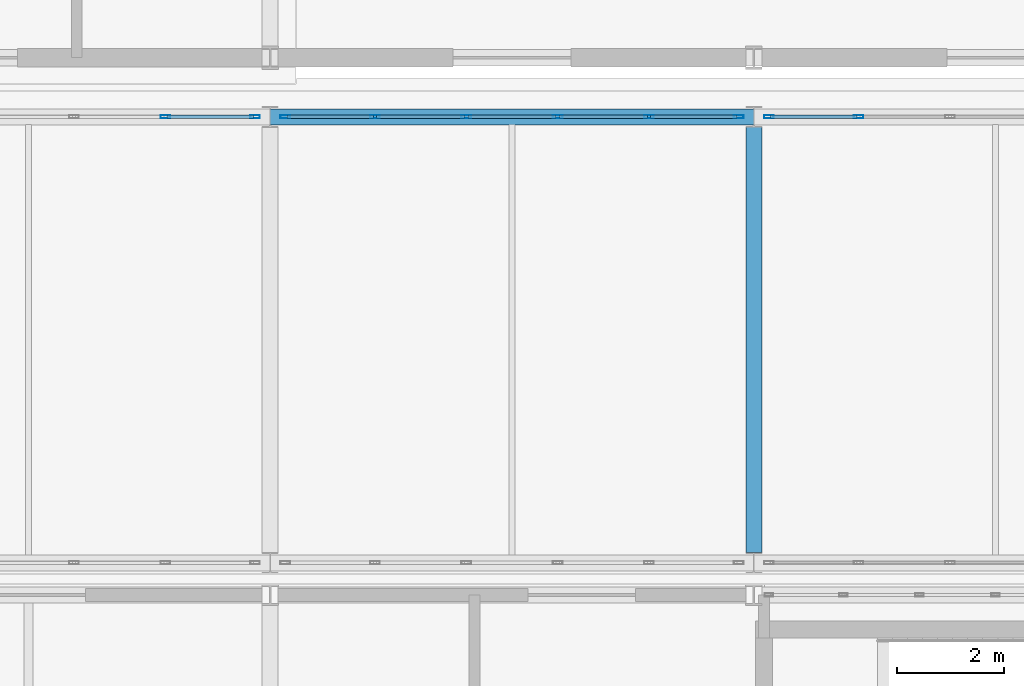
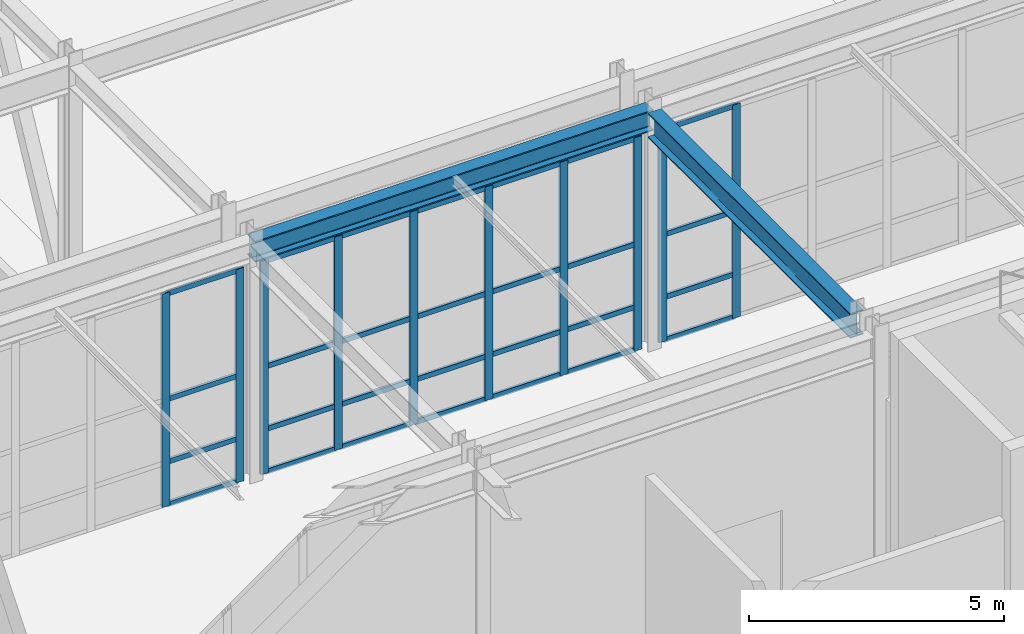
# One storey, part 49 of 146: 38 members, 2 beams, 3 elements without a shape of their own.
"""IFC4 building model written with IfcOpenShell, lengths in metres."""

from ifc_helpers import new_model, si_unit, direction, frame, origin, origin_2d, place, context, subcontext, project, spatial, hollow_rectangle, i_section, extrude, material, material_profile, profile_set, type_object, element, aggregate, save


model = new_model("IFC4")

# Units and contexts
model_context = context("Model", 3, precision=1e-05, world=origin(), true_north=direction((0.0, 1.0)))
body_context = subcontext(model_context, "Body", "Model", "MODEL_VIEW")
ifc_project = project(units=[si_unit("LENGTHUNIT", "METRE"), si_unit("AREAUNIT", "SQUARE_METRE"), si_unit("VOLUMEUNIT", "CUBIC_METRE"), si_unit("PLANEANGLEUNIT", "RADIAN"), si_unit("MASSUNIT", "GRAM", prefix="KILO")], contexts=[model_context])

# Site, building, storey
site_placement = place(None, origin())
site = spatial("IfcSite", under=ifc_project, at=site_placement, CompositionType="ELEMENT")
building_placement = place(site_placement, origin())
building = spatial("IfcBuilding", under=site, at=building_placement, Name="Kaldris Quays Convention Centre", CompositionType="ELEMENT")
storey_placement = place(building_placement, origin())
storey = spatial("IfcBuildingStorey", under=building, at=storey_placement, Name="L00", CompositionType="ELEMENT", Elevation=0.0)

# Curtain wall, members
ifc_material_1 = material(Name="Anodized aluminium AW-6060 and triple glazing", Category="aluminium")
curtain_wall_type = type_object("IfcCurtainWallType", Name="UNITISED CURTAIN WALL CW02", PredefinedType="NOTDEFINED", material=ifc_material_1)
curtain_wall_1_placement = place(storey_placement, origin())
curtain_wall_1 = element("IfcCurtainWall", 1, at=curtain_wall_1_placement, inside=storey, type_object=curtain_wall_type, Name="L00 Unitised Curtain Wall CW02 79", PredefinedType="NOTDEFINED")
ifc_material_2 = material(Name="Anodized aluminium AW-6060", Category="aluminium")
ifc_material_profile_1 = material_profile(ifc_material_2, hollow_rectangle(XDim=0.06005859375, YDim=0.179931640625, WallThickness=0.0048828125, at=origin_2d()), Name="RHS 180x60x5")
ifc_profile_set_1 = profile_set([ifc_material_profile_1], Name="Anodized aluminium AW-6060")
member_type_1 = type_object("IfcMemberType", Name="CURTAIN MULLION CWM2", PredefinedType="MULLION", material=ifc_profile_set_1)
member_1_placement = place(storey_placement, frame((36.050048828125, 54.89990234375, 0.0), z_axis=(0.0, 0.0, 1.0), x_axis=(0.0, 1.0, 0.0)))
member_1 = element("IfcMember", 2, at=member_1_placement, type_object=member_type_1, Name="CW02 mullion 5", PredefinedType="MULLION", context=body_context, shape_type="SweptSolid", body=[
    extrude(hollow_rectangle(XDim=0.06005859375, YDim=0.179931640625, WallThickness=0.0048828125, at=origin_2d()), origin(), (0.0, 0.0, 1.0), 5.10009765625),
])
member_2_placement = place(storey_placement, frame((37.719970703125, 54.89990234375, 0.0), z_axis=(0.0, 0.0, 1.0), x_axis=(0.0, 1.0, 0.0)))
member_2 = element("IfcMember", 3, at=member_2_placement, type_object=member_type_1, Name="CW02 mullion 6", PredefinedType="MULLION", context=body_context, shape_type="SweptSolid", body=[
    extrude(hollow_rectangle(XDim=0.06005859375, YDim=0.179931640625, WallThickness=0.0048828125, at=origin_2d()), origin(), (0.0, 0.0, 1.0), 5.10009765625),
])

curtain_wall_2_placement = place(storey_placement, origin())
curtain_wall_2 = element("IfcCurtainWall", 4, at=curtain_wall_2_placement, inside=storey, type_object=curtain_wall_type, Name="L00 Unitised Curtain Wall CW02 81", PredefinedType="NOTDEFINED")
member_3_placement = place(storey_placement, frame((38.280029296875, 54.89990234375, 0.0), z_axis=(0.0, 0.0, 1.0), x_axis=(0.0, 1.0, 0.0)))
member_3 = element("IfcMember", 5, at=member_3_placement, type_object=member_type_1, Name="CW02 mullion 1", PredefinedType="MULLION", context=body_context, shape_type="SweptSolid", body=[
    extrude(hollow_rectangle(XDim=0.06005859375, YDim=0.179931640625, WallThickness=0.0048828125, at=origin_2d()), origin(), (0.0, 0.0, 1.0), 5.10009765625),
])
member_4_placement = place(storey_placement, frame((39.949951171875, 54.89990234375, 0.0), z_axis=(0.0, 0.0, 1.0), x_axis=(0.0, 1.0, 0.0)))
member_4 = element("IfcMember", 6, at=member_4_placement, type_object=member_type_1, Name="CW02 mullion 2", PredefinedType="MULLION", context=body_context, shape_type="SweptSolid", body=[
    extrude(hollow_rectangle(XDim=0.06005859375, YDim=0.179931640625, WallThickness=0.0048828125, at=origin_2d()), origin(), (0.0, 0.0, 1.0), 5.10009765625),
])
member_5_placement = place(storey_placement, frame((41.64990234375, 54.89990234375, 0.0), z_axis=(0.0, 0.0, 1.0), x_axis=(0.0, 1.0, 0.0)))
member_5 = element("IfcMember", 7, at=member_5_placement, type_object=member_type_1, Name="CW02 mullion 3", PredefinedType="MULLION", context=body_context, shape_type="SweptSolid", body=[
    extrude(hollow_rectangle(XDim=0.06005859375, YDim=0.179931640625, WallThickness=0.0048828125, at=origin_2d()), origin(), (0.0, 0.0, 1.0), 5.10009765625),
])
member_6_placement = place(storey_placement, frame((43.35009765625, 54.89990234375, 0.0), z_axis=(0.0, 0.0, 1.0), x_axis=(0.0, 1.0, 0.0)))
member_6 = element("IfcMember", 8, at=member_6_placement, type_object=member_type_1, Name="CW02 mullion 4", PredefinedType="MULLION", context=body_context, shape_type="SweptSolid", body=[
    extrude(hollow_rectangle(XDim=0.06005859375, YDim=0.179931640625, WallThickness=0.0048828125, at=origin_2d()), origin(), (0.0, 0.0, 1.0), 5.10009765625),
])
member_7_placement = place(storey_placement, frame((45.050048828125, 54.89990234375, 0.0), z_axis=(0.0, 0.0, 1.0), x_axis=(0.0, 1.0, 0.0)))
member_7 = element("IfcMember", 9, at=member_7_placement, type_object=member_type_1, Name="CW02 mullion 5", PredefinedType="MULLION", context=body_context, shape_type="SweptSolid", body=[
    extrude(hollow_rectangle(XDim=0.06005859375, YDim=0.179931640625, WallThickness=0.0048828125, at=origin_2d()), origin(), (0.0, 0.0, 1.0), 5.10009765625),
])
member_8_placement = place(storey_placement, frame((46.719970703125, 54.89990234375, 0.0), z_axis=(0.0, 0.0, 1.0), x_axis=(0.0, 1.0, 0.0)))
member_8 = element("IfcMember", 10, at=member_8_placement, type_object=member_type_1, Name="CW02 mullion 6", PredefinedType="MULLION", context=body_context, shape_type="SweptSolid", body=[
    extrude(hollow_rectangle(XDim=0.06005859375, YDim=0.179931640625, WallThickness=0.0048828125, at=origin_2d()), origin(), (0.0, 0.0, 1.0), 5.10009765625),
])

curtain_wall_3_placement = place(storey_placement, origin())
curtain_wall_3 = element("IfcCurtainWall", 11, at=curtain_wall_3_placement, inside=storey, type_object=curtain_wall_type, Name="L00 Unitised Curtain Wall CW02 83", PredefinedType="NOTDEFINED")
member_9_placement = place(storey_placement, frame((47.280029296875, 54.89990234375, 0.0), z_axis=(0.0, 0.0, 1.0), x_axis=(0.0, 1.0, 0.0)))
member_9 = element("IfcMember", 12, at=member_9_placement, type_object=member_type_1, Name="CW02 mullion 1", PredefinedType="MULLION", context=body_context, shape_type="SweptSolid", body=[
    extrude(hollow_rectangle(XDim=0.06005859375, YDim=0.179931640625, WallThickness=0.0048828125, at=origin_2d()), origin(), (0.0, 0.0, 1.0), 5.10009765625),
])
member_10_placement = place(storey_placement, frame((48.949951171875, 54.89990234375, 0.0), z_axis=(0.0, 0.0, 1.0), x_axis=(0.0, 1.0, 0.0)))
member_10 = element("IfcMember", 13, at=member_10_placement, type_object=member_type_1, Name="CW02 mullion 2", PredefinedType="MULLION", context=body_context, shape_type="SweptSolid", body=[
    extrude(hollow_rectangle(XDim=0.06005859375, YDim=0.179931640625, WallThickness=0.0048828125, at=origin_2d()), origin(), (0.0, 0.0, 1.0), 5.10009765625),
])

# Member
ifc_material_profile_2 = material_profile(ifc_material_2, hollow_rectangle(XDim=0.06005859375, YDim=0.1201171875, WallThickness=0.00390625, at=origin_2d()), Name="RHS 120x60x4")
ifc_profile_set_2 = profile_set([ifc_material_profile_2], Name="Anodized aluminium AW-6060")
member_type_2 = type_object("IfcMemberType", Name="CURTAIN TRANSOM CWT1", PredefinedType="USERDEFINED", material=ifc_profile_set_2)
member_11_placement = place(storey_placement, frame((36.080078125, 54.89990234375, 0.030029296875), z_axis=(1.0, 0.0, 0.0), x_axis=(0.0, 1.0, 0.0)))
member_11 = element("IfcMember", 14, at=member_11_placement, type_object=member_type_2, Name="CW02 transom 5.1", ObjectType="TRANSOM", PredefinedType="USERDEFINED", context=body_context, shape_type="SweptSolid", body=[
    extrude(hollow_rectangle(XDim=0.06005859375, YDim=0.1201171875, WallThickness=0.00390625, at=origin_2d()), origin(), (0.0, 0.0, 1.0), 1.60986328125),
])

member_12_placement = place(storey_placement, frame((36.080078125, 54.89990234375, 1.050048828125), z_axis=(1.0, 0.0, 0.0), x_axis=(0.0, 1.0, 0.0)))
member_12 = element("IfcMember", 15, at=member_12_placement, type_object=member_type_2, Name="CW02 transom 5.2", ObjectType="TRANSOM", PredefinedType="USERDEFINED", context=body_context, shape_type="SweptSolid", body=[
    extrude(hollow_rectangle(XDim=0.06005859375, YDim=0.1201171875, WallThickness=0.00390625, at=origin_2d()), origin(), (0.0, 0.0, 1.0), 1.60986328125),
])

member_13_placement = place(storey_placement, frame((36.080078125, 54.89990234375, 2.550048828125), z_axis=(1.0, 0.0, 0.0), x_axis=(0.0, 1.0, 0.0)))
member_13 = element("IfcMember", 16, at=member_13_placement, type_object=member_type_2, Name="CW02 transom 5.3", ObjectType="TRANSOM", PredefinedType="USERDEFINED", context=body_context, shape_type="SweptSolid", body=[
    extrude(hollow_rectangle(XDim=0.06005859375, YDim=0.1201171875, WallThickness=0.00390625, at=origin_2d()), origin(), (0.0, 0.0, 1.0), 1.60986328125),
])

member_14_placement = place(storey_placement, frame((36.080078125, 54.89990234375, 5.070068359375), z_axis=(1.0, 0.0, 0.0), x_axis=(0.0, 1.0, 0.0)))
member_14 = element("IfcMember", 17, at=member_14_placement, type_object=member_type_2, Name="CW02 transom 5.4", ObjectType="TRANSOM", PredefinedType="USERDEFINED", context=body_context, shape_type="SweptSolid", body=[
    extrude(hollow_rectangle(XDim=0.06005859375, YDim=0.1201171875, WallThickness=0.00390625, at=origin_2d()), origin(), (0.0, 0.0, 1.0), 1.60986328125),
])

aggregate(curtain_wall_1, [member_1, member_2, member_11, member_12, member_13, member_14])

member_15_placement = place(storey_placement, frame((38.31005859375, 54.89990234375, 0.030029296875), z_axis=(1.0, 0.0, 0.0), x_axis=(0.0, 1.0, 0.0)))
member_15 = element("IfcMember", 18, at=member_15_placement, type_object=member_type_2, Name="CW02 transom 1.1", ObjectType="TRANSOM", PredefinedType="USERDEFINED", context=body_context, shape_type="SweptSolid", body=[
    extrude(hollow_rectangle(XDim=0.06005859375, YDim=0.1201171875, WallThickness=0.00390625, at=origin_2d()), origin(), (0.0, 0.0, 1.0), 1.60986328125),
])

member_16_placement = place(storey_placement, frame((38.31005859375, 54.89990234375, 1.050048828125), z_axis=(1.0, 0.0, 0.0), x_axis=(0.0, 1.0, 0.0)))
member_16 = element("IfcMember", 19, at=member_16_placement, type_object=member_type_2, Name="CW02 transom 1.2", ObjectType="TRANSOM", PredefinedType="USERDEFINED", context=body_context, shape_type="SweptSolid", body=[
    extrude(hollow_rectangle(XDim=0.06005859375, YDim=0.1201171875, WallThickness=0.00390625, at=origin_2d()), origin(), (0.0, 0.0, 1.0), 1.60986328125),
])

member_17_placement = place(storey_placement, frame((38.31005859375, 54.89990234375, 2.550048828125), z_axis=(1.0, 0.0, 0.0), x_axis=(0.0, 1.0, 0.0)))
member_17 = element("IfcMember", 20, at=member_17_placement, type_object=member_type_2, Name="CW02 transom 1.3", ObjectType="TRANSOM", PredefinedType="USERDEFINED", context=body_context, shape_type="SweptSolid", body=[
    extrude(hollow_rectangle(XDim=0.06005859375, YDim=0.1201171875, WallThickness=0.00390625, at=origin_2d()), origin(), (0.0, 0.0, 1.0), 1.60986328125),
])

member_18_placement = place(storey_placement, frame((38.31005859375, 54.89990234375, 5.070068359375), z_axis=(1.0, 0.0, 0.0), x_axis=(0.0, 1.0, 0.0)))
member_18 = element("IfcMember", 21, at=member_18_placement, type_object=member_type_2, Name="CW02 transom 1.4", ObjectType="TRANSOM", PredefinedType="USERDEFINED", context=body_context, shape_type="SweptSolid", body=[
    extrude(hollow_rectangle(XDim=0.06005859375, YDim=0.1201171875, WallThickness=0.00390625, at=origin_2d()), origin(), (0.0, 0.0, 1.0), 1.60986328125),
])

member_19_placement = place(storey_placement, frame((39.97998046875, 54.89990234375, 0.030029296875), z_axis=(1.0, 0.0, 0.0), x_axis=(0.0, 1.0, 0.0)))
member_19 = element("IfcMember", 22, at=member_19_placement, type_object=member_type_2, Name="CW02 transom 2.1", ObjectType="TRANSOM", PredefinedType="USERDEFINED", context=body_context, shape_type="SweptSolid", body=[
    extrude(hollow_rectangle(XDim=0.06005859375, YDim=0.1201171875, WallThickness=0.00390625, at=origin_2d()), origin(), (0.0, 0.0, 1.0), 1.64013671875),
])

member_20_placement = place(storey_placement, frame((39.97998046875, 54.89990234375, 1.050048828125), z_axis=(1.0, 0.0, 0.0), x_axis=(0.0, 1.0, 0.0)))
member_20 = element("IfcMember", 23, at=member_20_placement, type_object=member_type_2, Name="CW02 transom 2.2", ObjectType="TRANSOM", PredefinedType="USERDEFINED", context=body_context, shape_type="SweptSolid", body=[
    extrude(hollow_rectangle(XDim=0.06005859375, YDim=0.1201171875, WallThickness=0.00390625, at=origin_2d()), origin(), (0.0, 0.0, 1.0), 1.64013671875),
])

member_21_placement = place(storey_placement, frame((39.97998046875, 54.89990234375, 2.550048828125), z_axis=(1.0, 0.0, 0.0), x_axis=(0.0, 1.0, 0.0)))
member_21 = element("IfcMember", 24, at=member_21_placement, type_object=member_type_2, Name="CW02 transom 2.3", ObjectType="TRANSOM", PredefinedType="USERDEFINED", context=body_context, shape_type="SweptSolid", body=[
    extrude(hollow_rectangle(XDim=0.06005859375, YDim=0.1201171875, WallThickness=0.00390625, at=origin_2d()), origin(), (0.0, 0.0, 1.0), 1.64013671875),
])

member_22_placement = place(storey_placement, frame((39.97998046875, 54.89990234375, 5.070068359375), z_axis=(1.0, 0.0, 0.0), x_axis=(0.0, 1.0, 0.0)))
member_22 = element("IfcMember", 25, at=member_22_placement, type_object=member_type_2, Name="CW02 transom 2.4", ObjectType="TRANSOM", PredefinedType="USERDEFINED", context=body_context, shape_type="SweptSolid", body=[
    extrude(hollow_rectangle(XDim=0.06005859375, YDim=0.1201171875, WallThickness=0.00390625, at=origin_2d()), origin(), (0.0, 0.0, 1.0), 1.64013671875),
])

member_23_placement = place(storey_placement, frame((41.679931640625, 54.89990234375, 0.030029296875), z_axis=(1.0, 0.0, 0.0), x_axis=(0.0, 1.0, 0.0)))
member_23 = element("IfcMember", 26, at=member_23_placement, type_object=member_type_2, Name="CW02 transom 3.1", ObjectType="TRANSOM", PredefinedType="USERDEFINED", context=body_context, shape_type="SweptSolid", body=[
    extrude(hollow_rectangle(XDim=0.06005859375, YDim=0.1201171875, WallThickness=0.00390625, at=origin_2d()), origin(), (0.0, 0.0, 1.0), 1.64013671875),
])

member_24_placement = place(storey_placement, frame((41.679931640625, 54.89990234375, 1.050048828125), z_axis=(1.0, 0.0, 0.0), x_axis=(0.0, 1.0, 0.0)))
member_24 = element("IfcMember", 27, at=member_24_placement, type_object=member_type_2, Name="CW02 transom 3.2", ObjectType="TRANSOM", PredefinedType="USERDEFINED", context=body_context, shape_type="SweptSolid", body=[
    extrude(hollow_rectangle(XDim=0.06005859375, YDim=0.1201171875, WallThickness=0.00390625, at=origin_2d()), origin(), (0.0, 0.0, 1.0), 1.64013671875),
])

member_25_placement = place(storey_placement, frame((41.679931640625, 54.89990234375, 2.550048828125), z_axis=(1.0, 0.0, 0.0), x_axis=(0.0, 1.0, 0.0)))
member_25 = element("IfcMember", 28, at=member_25_placement, type_object=member_type_2, Name="CW02 transom 3.3", ObjectType="TRANSOM", PredefinedType="USERDEFINED", context=body_context, shape_type="SweptSolid", body=[
    extrude(hollow_rectangle(XDim=0.06005859375, YDim=0.1201171875, WallThickness=0.00390625, at=origin_2d()), origin(), (0.0, 0.0, 1.0), 1.64013671875),
])

member_26_placement = place(storey_placement, frame((41.679931640625, 54.89990234375, 5.070068359375), z_axis=(1.0, 0.0, 0.0), x_axis=(0.0, 1.0, 0.0)))
member_26 = element("IfcMember", 29, at=member_26_placement, type_object=member_type_2, Name="CW02 transom 3.4", ObjectType="TRANSOM", PredefinedType="USERDEFINED", context=body_context, shape_type="SweptSolid", body=[
    extrude(hollow_rectangle(XDim=0.06005859375, YDim=0.1201171875, WallThickness=0.00390625, at=origin_2d()), origin(), (0.0, 0.0, 1.0), 1.64013671875),
])

member_27_placement = place(storey_placement, frame((43.3798828125, 54.89990234375, 0.030029296875), z_axis=(1.0, 0.0, 0.0), x_axis=(0.0, 1.0, 0.0)))
member_27 = element("IfcMember", 30, at=member_27_placement, type_object=member_type_2, Name="CW02 transom 4.1", ObjectType="TRANSOM", PredefinedType="USERDEFINED", context=body_context, shape_type="SweptSolid", body=[
    extrude(hollow_rectangle(XDim=0.06005859375, YDim=0.1201171875, WallThickness=0.00390625, at=origin_2d()), origin(), (0.0, 0.0, 1.0), 1.64013671875),
])

member_28_placement = place(storey_placement, frame((43.3798828125, 54.89990234375, 1.050048828125), z_axis=(1.0, 0.0, 0.0), x_axis=(0.0, 1.0, 0.0)))
member_28 = element("IfcMember", 31, at=member_28_placement, type_object=member_type_2, Name="CW02 transom 4.2", ObjectType="TRANSOM", PredefinedType="USERDEFINED", context=body_context, shape_type="SweptSolid", body=[
    extrude(hollow_rectangle(XDim=0.06005859375, YDim=0.1201171875, WallThickness=0.00390625, at=origin_2d()), origin(), (0.0, 0.0, 1.0), 1.64013671875),
])

member_29_placement = place(storey_placement, frame((43.3798828125, 54.89990234375, 2.550048828125), z_axis=(1.0, 0.0, 0.0), x_axis=(0.0, 1.0, 0.0)))
member_29 = element("IfcMember", 32, at=member_29_placement, type_object=member_type_2, Name="CW02 transom 4.3", ObjectType="TRANSOM", PredefinedType="USERDEFINED", context=body_context, shape_type="SweptSolid", body=[
    extrude(hollow_rectangle(XDim=0.06005859375, YDim=0.1201171875, WallThickness=0.00390625, at=origin_2d()), origin(), (0.0, 0.0, 1.0), 1.64013671875),
])

member_30_placement = place(storey_placement, frame((43.3798828125, 54.89990234375, 5.070068359375), z_axis=(1.0, 0.0, 0.0), x_axis=(0.0, 1.0, 0.0)))
member_30 = element("IfcMember", 33, at=member_30_placement, type_object=member_type_2, Name="CW02 transom 4.4", ObjectType="TRANSOM", PredefinedType="USERDEFINED", context=body_context, shape_type="SweptSolid", body=[
    extrude(hollow_rectangle(XDim=0.06005859375, YDim=0.1201171875, WallThickness=0.00390625, at=origin_2d()), origin(), (0.0, 0.0, 1.0), 1.64013671875),
])

member_31_placement = place(storey_placement, frame((45.080078125, 54.89990234375, 0.030029296875), z_axis=(1.0, 0.0, 0.0), x_axis=(0.0, 1.0, 0.0)))
member_31 = element("IfcMember", 34, at=member_31_placement, type_object=member_type_2, Name="CW02 transom 5.1", ObjectType="TRANSOM", PredefinedType="USERDEFINED", context=body_context, shape_type="SweptSolid", body=[
    extrude(hollow_rectangle(XDim=0.06005859375, YDim=0.1201171875, WallThickness=0.00390625, at=origin_2d()), origin(), (0.0, 0.0, 1.0), 1.60986328125),
])

member_32_placement = place(storey_placement, frame((45.080078125, 54.89990234375, 1.050048828125), z_axis=(1.0, 0.0, 0.0), x_axis=(0.0, 1.0, 0.0)))
member_32 = element("IfcMember", 35, at=member_32_placement, type_object=member_type_2, Name="CW02 transom 5.2", ObjectType="TRANSOM", PredefinedType="USERDEFINED", context=body_context, shape_type="SweptSolid", body=[
    extrude(hollow_rectangle(XDim=0.06005859375, YDim=0.1201171875, WallThickness=0.00390625, at=origin_2d()), origin(), (0.0, 0.0, 1.0), 1.60986328125),
])

member_33_placement = place(storey_placement, frame((45.080078125, 54.89990234375, 2.550048828125), z_axis=(1.0, 0.0, 0.0), x_axis=(0.0, 1.0, 0.0)))
member_33 = element("IfcMember", 36, at=member_33_placement, type_object=member_type_2, Name="CW02 transom 5.3", ObjectType="TRANSOM", PredefinedType="USERDEFINED", context=body_context, shape_type="SweptSolid", body=[
    extrude(hollow_rectangle(XDim=0.06005859375, YDim=0.1201171875, WallThickness=0.00390625, at=origin_2d()), origin(), (0.0, 0.0, 1.0), 1.60986328125),
])

member_34_placement = place(storey_placement, frame((45.080078125, 54.89990234375, 5.070068359375), z_axis=(1.0, 0.0, 0.0), x_axis=(0.0, 1.0, 0.0)))
member_34 = element("IfcMember", 37, at=member_34_placement, type_object=member_type_2, Name="CW02 transom 5.4", ObjectType="TRANSOM", PredefinedType="USERDEFINED", context=body_context, shape_type="SweptSolid", body=[
    extrude(hollow_rectangle(XDim=0.06005859375, YDim=0.1201171875, WallThickness=0.00390625, at=origin_2d()), origin(), (0.0, 0.0, 1.0), 1.60986328125),
])

aggregate(curtain_wall_2, [member_3, member_4, member_5, member_6, member_7, member_8, member_15, member_16, member_17, member_18, member_19, member_20, member_21, member_22, member_23, member_24, member_25, member_26, member_27, member_28, member_29, member_30, member_31, member_32, member_33, member_34])

member_35_placement = place(storey_placement, frame((47.31005859375, 54.89990234375, 0.030029296875), z_axis=(1.0, 0.0, 0.0), x_axis=(0.0, 1.0, 0.0)))
member_35 = element("IfcMember", 38, at=member_35_placement, type_object=member_type_2, Name="CW02 transom 1.1", ObjectType="TRANSOM", PredefinedType="USERDEFINED", context=body_context, shape_type="SweptSolid", body=[
    extrude(hollow_rectangle(XDim=0.06005859375, YDim=0.1201171875, WallThickness=0.00390625, at=origin_2d()), origin(), (0.0, 0.0, 1.0), 1.60986328125),
])

member_36_placement = place(storey_placement, frame((47.31005859375, 54.89990234375, 1.050048828125), z_axis=(1.0, 0.0, 0.0), x_axis=(0.0, 1.0, 0.0)))
member_36 = element("IfcMember", 39, at=member_36_placement, type_object=member_type_2, Name="CW02 transom 1.2", ObjectType="TRANSOM", PredefinedType="USERDEFINED", context=body_context, shape_type="SweptSolid", body=[
    extrude(hollow_rectangle(XDim=0.06005859375, YDim=0.1201171875, WallThickness=0.00390625, at=origin_2d()), origin(), (0.0, 0.0, 1.0), 1.60986328125),
])

member_37_placement = place(storey_placement, frame((47.31005859375, 54.89990234375, 2.550048828125), z_axis=(1.0, 0.0, 0.0), x_axis=(0.0, 1.0, 0.0)))
member_37 = element("IfcMember", 40, at=member_37_placement, type_object=member_type_2, Name="CW02 transom 1.3", ObjectType="TRANSOM", PredefinedType="USERDEFINED", context=body_context, shape_type="SweptSolid", body=[
    extrude(hollow_rectangle(XDim=0.06005859375, YDim=0.1201171875, WallThickness=0.00390625, at=origin_2d()), origin(), (0.0, 0.0, 1.0), 1.60986328125),
])

member_38_placement = place(storey_placement, frame((47.31005859375, 54.89990234375, 5.070068359375), z_axis=(1.0, 0.0, 0.0), x_axis=(0.0, 1.0, 0.0)))
member_38 = element("IfcMember", 41, at=member_38_placement, type_object=member_type_2, Name="CW02 transom 1.4", ObjectType="TRANSOM", PredefinedType="USERDEFINED", context=body_context, shape_type="SweptSolid", body=[
    extrude(hollow_rectangle(XDim=0.06005859375, YDim=0.1201171875, WallThickness=0.00390625, at=origin_2d()), origin(), (0.0, 0.0, 1.0), 1.60986328125),
])

aggregate(curtain_wall_3, [member_9, member_10, member_35, member_36, member_37, member_38])

# Beams
ifc_material_3 = material(Name="Steel S355J2", Category="steel")
ifc_material_profile_3 = material_profile(ifc_material_3, i_section(OverallWidth=0.300048828125, OverallDepth=0.5, WebThickness=0.014404296875, FlangeThickness=0.028076171875, FilletRadius=0.027099609375, at=origin_2d()), Name="HEB 500")
ifc_profile_set_3 = profile_set([ifc_material_profile_3], Name="Steel S355J2")
beam_type_1 = type_object("IfcBeamType", Name="STRUCTURAL BEAM BM06", PredefinedType="BEAM", material=ifc_profile_set_3)
beam_1_placement = place(storey_placement, frame((37.99951171875, 54.89990234375, 5.472900390625), z_axis=(1.0, 0.0, 0.0), x_axis=(0.0, 1.0, 0.0)))
element("IfcBeam", 42, at=beam_1_placement, inside=storey, type_object=beam_type_1, Name="L00 Girder BM06 8", PredefinedType="BEAM", context=body_context, shape_type="SweptSolid", body=[
    extrude(i_section(OverallWidth=0.300048828125, OverallDepth=0.5, WebThickness=0.014404296875, FlangeThickness=0.028076171875, FilletRadius=0.027099609375, at=origin_2d()), origin(), (0.0, 0.0, 1.0), 9.0009765625),
])
ifc_material_profile_4 = material_profile(ifc_material_3, i_section(OverallWidth=0.300048828125, OverallDepth=0.590087890625, WebThickness=0.012939453125, FlangeThickness=0.02490234375, FilletRadius=0.027099609375, at=origin_2d()), Name="HEA 600")
ifc_profile_set_4 = profile_set([ifc_material_profile_4], Name="Steel S355J2")
beam_type_2 = type_object("IfcBeamType", Name="STRUCTURAL BEAM BM08", PredefinedType="BEAM", material=ifc_profile_set_4)
beam_2_placement = place(storey_placement, frame((47.0, 46.7890625, 5.427978515625), z_axis=(0.0, 1.0, 0.0), x_axis=(-1.0, 0.0, 0.0)))
element("IfcBeam", 43, at=beam_2_placement, inside=storey, type_object=beam_type_2, Name="L00 Girder BM08 15", PredefinedType="BEAM", context=body_context, shape_type="SweptSolid", body=[
    extrude(i_section(OverallWidth=0.300048828125, OverallDepth=0.590087890625, WebThickness=0.012939453125, FlangeThickness=0.02490234375, FilletRadius=0.027099609375, at=origin_2d()), origin(), (0.0, 0.0, 1.0), 7.921875),
])

save(model, "model.ifc")
